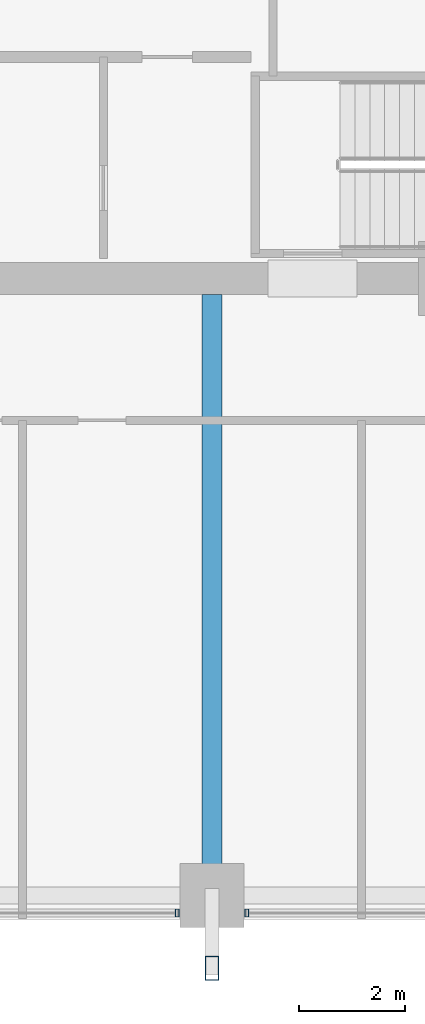
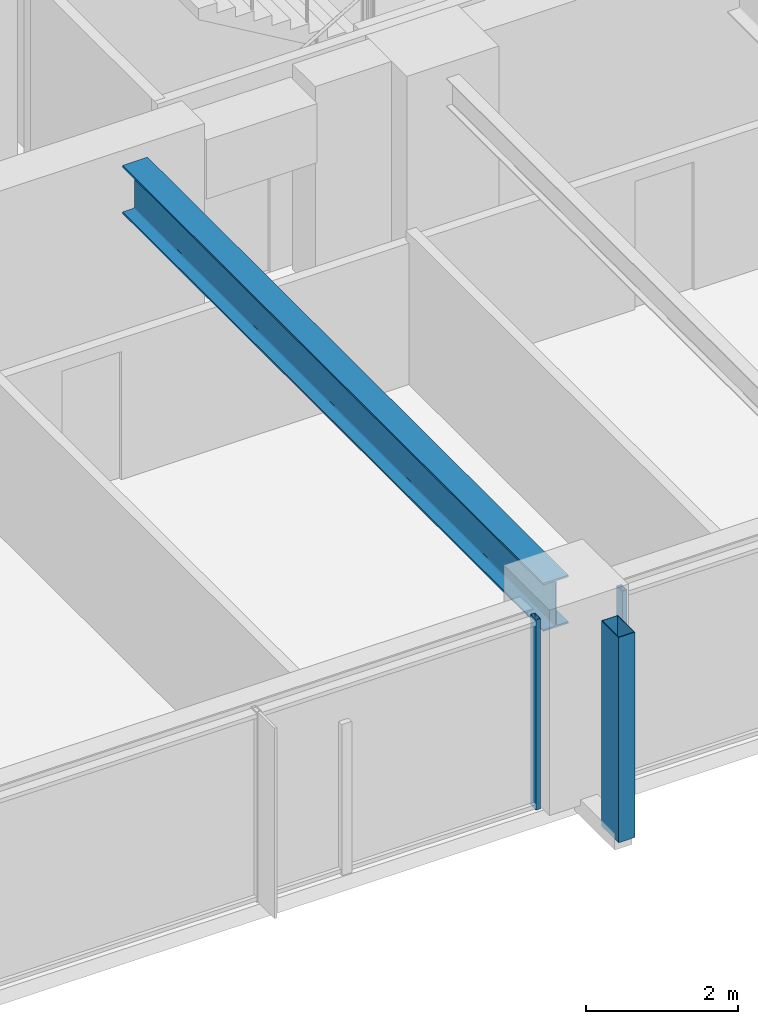
# One storey, part 5 of 36: 3 members, 1 beam, 2 elements without a shape of their own.
"""IFC4 building model written with IfcOpenShell, lengths in metres."""

from ifc_helpers import new_model, si_unit, direction, frame, origin, origin_2d, place, context, subcontext, project, spatial, hollow_rectangle, i_section, extrude, material, material_profile, profile_set, type_object, element, aggregate, save


model = new_model("IFC4")

# Units and contexts
model_context = context("Model", 3, precision=1e-05, world=origin(), true_north=direction((0.0, 1.0)))
body_context = subcontext(model_context, "Body", "Model", "MODEL_VIEW")
ifc_project = project(units=[si_unit("LENGTHUNIT", "METRE"), si_unit("AREAUNIT", "SQUARE_METRE"), si_unit("VOLUMEUNIT", "CUBIC_METRE"), si_unit("PLANEANGLEUNIT", "RADIAN"), si_unit("MASSUNIT", "GRAM", prefix="KILO")], contexts=[model_context])

# Site, building, storey
site_placement = place(None, origin())
site = spatial("IfcSite", under=ifc_project, at=site_placement, CompositionType="ELEMENT")
building_placement = place(site_placement, origin())
building = spatial("IfcBuilding", under=site, at=building_placement, Name="Kolvaren Belvedere", CompositionType="ELEMENT")
storey_placement = place(building_placement, frame((0.0, 0.0, 46.89990234375)))
storey = spatial("IfcBuildingStorey", under=building, at=storey_placement, Name="L13", CompositionType="ELEMENT", Elevation=46.89990234375)

# Beam
ifc_material_1 = material(Name="Structural steel ASTM A992 Grade 50", Category="steel")
ifc_material_profile_1 = material_profile(ifc_material_1, i_section(OverallWidth=0.381103515625, OverallDepth=0.77294921875, WebThickness=0.0166015625, FlangeThickness=0.027099609375, FilletRadius=0.02392578125, at=origin_2d()), Name="W30X173")
ifc_profile_set_1 = profile_set([ifc_material_profile_1], Name="Structural steel ASTM A992 Grade 50")
beam_type = type_object("IfcBeamType", Name="BM-GIRD-W30X173", PredefinedType="BEAM", material=ifc_profile_set_1)
beam_placement = place(storey_placement, frame((-4.60009765625, -10.199951171875, 2.673583984375), z_axis=(0.0, -1.0, 0.0), x_axis=(1.0, 0.0, 0.0)))
element("IfcBeam", 1, at=beam_placement, inside=storey, type_object=beam_type, Name="L13 South Radial Girder M", PredefinedType="BEAM", context=body_context, shape_type="SweptSolid", body=[
    extrude(i_section(OverallWidth=0.381103515625, OverallDepth=0.77294921875, WebThickness=0.0166015625, FlangeThickness=0.027099609375, FilletRadius=0.02392578125, at=origin_2d()), origin(), (0.0, 0.0, 1.0), 11.080078125),
])

# Curtain wall, member
ifc_material_2 = material(Name="Anodised pale-metal aluminium AA 6063-T6", Category="aluminium")
curtain_wall_type = type_object("IfcCurtainWallType", Name="CW-Z1-LOW", PredefinedType="NOTDEFINED", material=ifc_material_2)
curtain_wall_1_placement = place(storey_placement, origin())
curtain_wall_1 = element("IfcCurtainWall", 2, at=curtain_wall_1_placement, inside=storey, type_object=curtain_wall_type, Name="L13 Unitised Curtain Wall FCW-L13-S-B2", PredefinedType="NOTDEFINED")
ifc_material_3 = material(Name="Anodised pale-metal aluminium AA 6063-T6", Category="aluminium")
ifc_material_profile_2 = material_profile(ifc_material_3, hollow_rectangle(XDim=0.070068359375, YDim=0.14990234375, WallThickness=0.004150390625, at=origin_2d()), Name="ALU-MUL-150X70")
ifc_profile_set_2 = profile_set([ifc_material_profile_2], Name="Anodised pale-metal aluminium AA 6063-T6")
member_type_1 = type_object("IfcMemberType", Name="CW-MUL-150", PredefinedType="MULLION", material=ifc_profile_set_2)
member_1_placement = place(storey_placement, frame((-3.945068359375, -21.8798828125, 0.0), z_axis=(0.0, 0.0, 1.0), x_axis=(1.0, 0.0, 0.0)))
member_1 = element("IfcMember", 3, at=member_1_placement, type_object=member_type_1, Name="FCW-L13-S-B2 Unitised Mullion 3", PredefinedType="MULLION", context=body_context, shape_type="SweptSolid", body=[
    extrude(hollow_rectangle(XDim=0.070068359375, YDim=0.14990234375, WallThickness=0.004150390625, at=origin_2d()), origin(), (0.0, 0.0, 1.0), 3.06005859375),
])
aggregate(curtain_wall_1, [member_1])

curtain_wall_2_placement = place(storey_placement, origin())
curtain_wall_2 = element("IfcCurtainWall", 4, at=curtain_wall_2_placement, inside=storey, type_object=curtain_wall_type, Name="L13 Unitised Curtain Wall FCW-L13-S-B3", PredefinedType="NOTDEFINED")
member_2_placement = place(storey_placement, frame((-5.2548828125, -21.8798828125, 0.0), z_axis=(0.0, 0.0, 1.0), x_axis=(1.0, 0.0, 0.0)))
member_2 = element("IfcMember", 5, at=member_2_placement, type_object=member_type_1, Name="FCW-L13-S-B3 Unitised Mullion 1", PredefinedType="MULLION", context=body_context, shape_type="SweptSolid", body=[
    extrude(hollow_rectangle(XDim=0.070068359375, YDim=0.14990234375, WallThickness=0.004150390625, at=origin_2d()), origin(), (0.0, 0.0, 1.0), 3.06005859375),
])
aggregate(curtain_wall_2, [member_2])

# Member
ifc_material_4 = material(Name="Anodised pale-metal aluminium AA 6063-T6", Category="aluminium")
ifc_material_profile_3 = material_profile(ifc_material_4, hollow_rectangle(XDim=0.25, YDim=0.449951171875, WallThickness=0.008544921875, at=origin_2d()), Name="ALU-PF-450X250")
ifc_profile_set_3 = profile_set([ifc_material_profile_3], Name="Anodised pale-metal aluminium AA 6063-T6")
member_type_2 = type_object("IfcMemberType", Name="PF-FRAME-450", PredefinedType="USERDEFINED", material=ifc_profile_set_3)
member_3_placement = place(storey_placement, frame((-4.60009765625, -22.919921875, 0.0), z_axis=(0.0, 0.0, 1.0), x_axis=(1.0, 0.0, 0.0)))
element("IfcMember", 6, at=member_3_placement, inside=storey, type_object=member_type_2, Name="L13 Outboard Picture-Frame Vertical S2", ObjectType="PICTURE FRAME FIN", PredefinedType="USERDEFINED", context=body_context, shape_type="SweptSolid", body=[
    extrude(hollow_rectangle(XDim=0.25, YDim=0.449951171875, WallThickness=0.008544921875, at=origin_2d()), origin(), (0.0, 0.0, 1.0), 3.300048828125),
])

save(model, "model.ifc")
